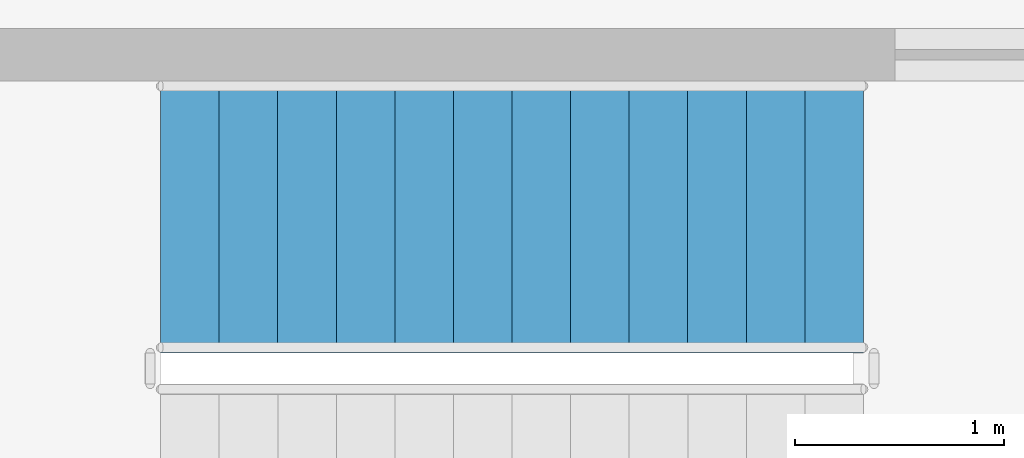
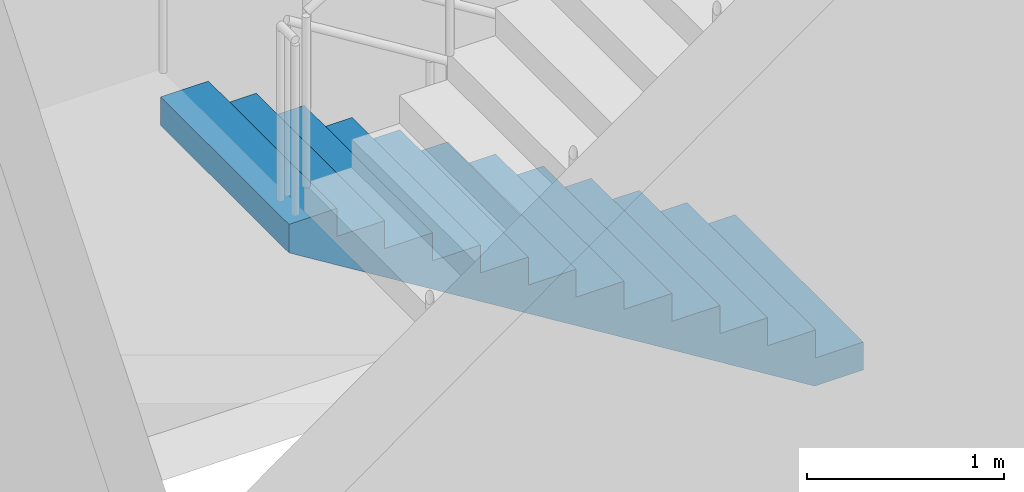
# One storey, part 11 of 29: 1 stair flight, 1 element without a shape of its own.
"""IFC4 building model written with IfcOpenShell, lengths in metres."""

from ifc_helpers import new_model, si_unit, direction, frame, origin, place, context, subcontext, project, spatial, polyline, outline, extrude, material, type_object, element, aggregate, save


model = new_model("IFC4")

# Units and contexts
model_context = context("Model", 3, precision=1e-05, world=origin(), true_north=direction((0.0, 1.0)))
body_context = subcontext(model_context, "Body", "Model", "MODEL_VIEW")
ifc_project = project(units=[si_unit("LENGTHUNIT", "METRE"), si_unit("AREAUNIT", "SQUARE_METRE"), si_unit("VOLUMEUNIT", "CUBIC_METRE"), si_unit("PLANEANGLEUNIT", "RADIAN"), si_unit("MASSUNIT", "GRAM", prefix="KILO")], contexts=[model_context])

# Site, building, storey
site_placement = place(None, origin())
site = spatial("IfcSite", under=ifc_project, at=site_placement, CompositionType="ELEMENT")
building_placement = place(site_placement, origin())
building = spatial("IfcBuilding", under=site, at=building_placement, Name="Lantern Court Research Institute", CompositionType="ELEMENT")
storey_placement = place(building_placement, frame((0.0, 0.0, 32.39990234375)))
storey = spatial("IfcBuildingStorey", under=building, at=storey_placement, Name="L07", CompositionType="ELEMENT", Elevation=32.39990234375)

# Stair, stair flight
ifc_material_1 = material(Name="Concrete C40/50", Category="concrete")
stair_type = type_object("IfcStairType", Name="RC half-turn stair 1300 wide, 4500 rise, 6100 shaft", PredefinedType="HALF_TURN_STAIR", material=ifc_material_1)
stair_placement = place(storey_placement, origin())
stair = element("IfcStair", 1, at=stair_placement, inside=storey, type_object=stair_type, Name="L07 stair ST-T2", PredefinedType="HALF_TURN_STAIR")
ifc_material_2 = material(Name="Concrete C40/50", Category="concrete")
stair_flight_type = type_object("IfcStairFlightType", Name="RC stair flight 1300 wide, 13 risers of 173, going 280", PredefinedType="STRAIGHT", material=ifc_material_2)
stair_flight_placement = place(storey_placement, frame((77.64990234375, 15.550048828125, 0.0), z_axis=(0.0, 0.0, 1.0), x_axis=(-1.0, 0.0, 0.0)))
stair_flight = element("IfcStairFlight", 2, at=stair_flight_placement, type_object=stair_flight_type, Name="ST-T2 flight 1", NumberOfRisers=13, NumberOfTreads=12, PredefinedType="STRAIGHT", RiserHeight=0.173076923, TreadLength=0.28, context=body_context, shape_type="SweptSolid", body=[
    extrude(outline(polyline([(0.0, 0.0), (0.0, 0.173095703125), (0.280029296875, 0.173095703125), (0.280029296875, 0.34619140625), (0.56005859375, 0.34619140625), (0.56005859375, 0.519287109375), (0.840087890625, 0.519287109375), (0.840087890625, 0.6923828125), (1.1201171875, 0.6923828125), (1.1201171875, 0.865478515625), (1.39990234375, 0.865478515625), (1.39990234375, 1.03857421875), (1.679931640625, 1.03857421875), (1.679931640625, 1.21142578125), (1.9599609375, 1.21142578125), (1.9599609375, 1.384521484375), (2.239990234375, 1.384521484375), (2.239990234375, 1.5576171875), (2.52001953125, 1.5576171875), (2.52001953125, 1.730712890625), (2.800048828125, 1.730712890625), (2.800048828125, 1.90380859375), (3.080078125, 1.90380859375), (3.080078125, 2.076904296875), (3.360107421875, 2.076904296875), (3.360107421875, 2.25), (3.360107421875, 1.900634765625), (0.28515625, 0.0), (0.0, 0.0)])), frame((0.0, 0.64990234375, 0.0), z_axis=(0.0, -1.0, 0.0), x_axis=(1.0, 0.0, 0.0)), (0.0, 0.0, 1.0), 1.300048828125),
])
aggregate(stair, [stair_flight])

save(model, "model.ifc")
